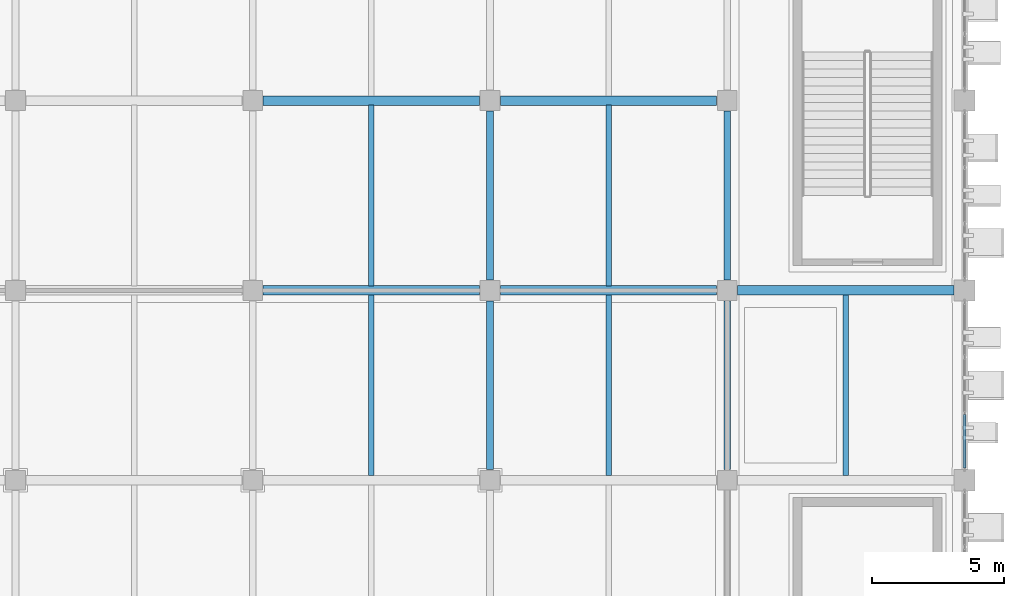
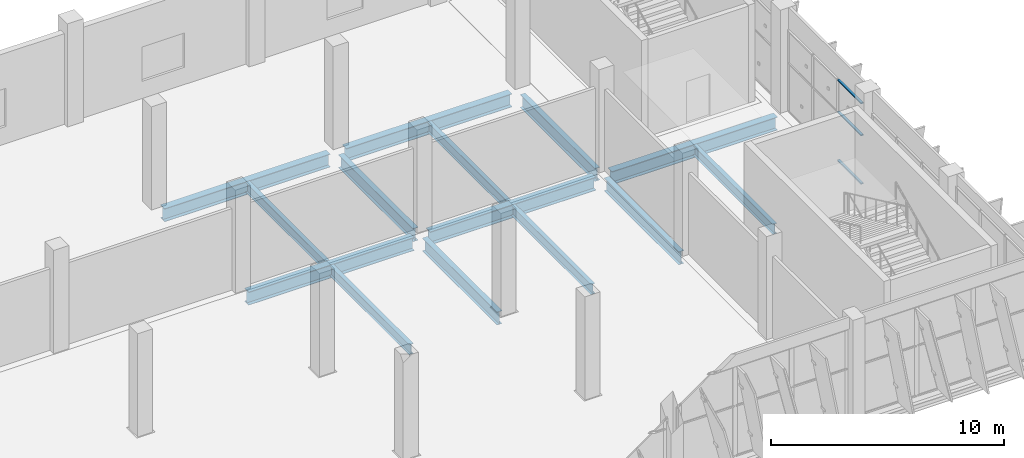
# One storey, part 49 of 137: 14 beams, 3 members, 1 element without a shape of its own.
"""IFC4 building model written with IfcOpenShell, lengths in metres."""

from ifc_helpers import new_model, si_unit, direction, frame, origin, origin_2d, place, context, subcontext, project, spatial, hollow_rectangle, i_section, extrude, material, layer, layer_set, material_profile, profile_set, type_object, element, aggregate, save


model = new_model("IFC4")

# Units and contexts
model_context = context("Model", 3, precision=1e-05, world=origin(), true_north=direction((0.0, 1.0)))
body_context = subcontext(model_context, "Body", "Model", "MODEL_VIEW")
ifc_project = project(units=[si_unit("LENGTHUNIT", "METRE"), si_unit("AREAUNIT", "SQUARE_METRE"), si_unit("VOLUMEUNIT", "CUBIC_METRE"), si_unit("PLANEANGLEUNIT", "RADIAN"), si_unit("MASSUNIT", "GRAM", prefix="KILO")], contexts=[model_context])

# Site, building, storey
site_placement = place(None, origin())
site = spatial("IfcSite", under=ifc_project, at=site_placement, CompositionType="ELEMENT")
building_placement = place(site_placement, origin())
building = spatial("IfcBuilding", under=site, at=building_placement, Name="Celestram Park Convention Centre", CompositionType="ELEMENT")
storey_placement = place(building_placement, origin())
storey = spatial("IfcBuildingStorey", under=building, at=storey_placement, Name="L00", CompositionType="ELEMENT", Elevation=0.0)

# Curtain wall, members
ifc_material_1 = material(Name="Anodised Aluminium Alloy 6063-T6", Category="aluminium")
ifc_layer = layer(ifc_material_1, 0.179931640625)
ifc_layer_set = layer_set([ifc_layer], Name="Anodised Aluminium Alloy 6063-T6")
curtain_wall_type = type_object("IfcCurtainWallType", Name="ARC-CW-640X426", PredefinedType="NOTDEFINED", material=ifc_layer_set)
curtain_wall_placement = place(storey_placement, origin())
curtain_wall = element("IfcCurtainWall", 1, at=curtain_wall_placement, inside=storey, type_object=curtain_wall_type, Name="Unitised curtain wall CU-L00-023", PredefinedType="NOTDEFINED")
ifc_material_profile_1 = material_profile(ifc_material_1, hollow_rectangle(XDim=0.1201171875, YDim=0.06005859375, WallThickness=0.0029296875, at=origin_2d()), Name="ALU120X60X3")
ifc_profile_set_1 = profile_set([ifc_material_profile_1], Name="Anodised Aluminium Alloy 6063-T6")
member_type = type_object("IfcMemberType", Name="ARC-CWT-120", PredefinedType="USERDEFINED", material=ifc_profile_set_1)
member_1_placement = place(storey_placement, frame((216.0, 16.900146484375, 0.030029296875), z_axis=(0.0, -1.0, 0.0), x_axis=(1.0, 0.0, 0.0)))
member_1 = element("IfcMember", 2, at=member_1_placement, type_object=member_type, Name="CW-64X42 transom 3.1", ObjectType="TRANSOM", PredefinedType="USERDEFINED", context=body_context, shape_type="SweptSolid", body=[
    extrude(hollow_rectangle(XDim=0.1201171875, YDim=0.06005859375, WallThickness=0.0029296875, at=origin_2d()), origin(), (0.0, 0.0, 1.0), 2.037109375),
])
member_2_placement = place(storey_placement, frame((216.0, 16.900146484375, 2.55810546875), z_axis=(0.0, -1.0, 0.0), x_axis=(1.0, 0.0, 0.0)))
member_2 = element("IfcMember", 3, at=member_2_placement, type_object=member_type, Name="CW-64X42 transom 3.2", ObjectType="TRANSOM", PredefinedType="USERDEFINED", context=body_context, shape_type="SweptSolid", body=[
    extrude(hollow_rectangle(XDim=0.1201171875, YDim=0.06005859375, WallThickness=0.0029296875, at=origin_2d()), origin(), (0.0, 0.0, 1.0), 2.037109375),
])
member_3_placement = place(storey_placement, frame((216.0, 16.900146484375, 4.23388671875), z_axis=(0.0, -1.0, 0.0), x_axis=(1.0, 0.0, 0.0)))
member_3 = element("IfcMember", 4, at=member_3_placement, type_object=member_type, Name="CW-64X42 transom 3.3", ObjectType="TRANSOM", PredefinedType="USERDEFINED", context=body_context, shape_type="SweptSolid", body=[
    extrude(hollow_rectangle(XDim=0.1201171875, YDim=0.06005859375, WallThickness=0.0029296875, at=origin_2d()), origin(), (0.0, 0.0, 1.0), 2.037109375),
])
aggregate(curtain_wall, [member_1, member_2, member_3])

# Beams
ifc_material_2 = material(Name="Steel ASTM A992 Grade 50", Category="steel")
ifc_material_profile_2 = material_profile(ifc_material_2, i_section(OverallWidth=0.35595703125, OverallDepth=0.696044921875, WebThickness=0.015380859375, FlangeThickness=0.02490234375, at=origin_2d()), Name="W27X146")
ifc_profile_set_2 = profile_set([ifc_material_profile_2], Name="Steel ASTM A992 Grade 50")
beam_type_1 = type_object("IfcBeamType", Name="STR-BM-W27X146", PredefinedType="BEAM", material=ifc_profile_set_2)
for number, where, z_axis, x_axis, name in (
    (5, (189.39794921875, 21.60009765625, -0.66796875), (1.0, 0.0, 0.0), (0.0, 1.0, 0.0), "Primary X-girder BG-L00-0801"),
    (6, (189.39794921875, 28.800048828125, -0.66796875), (1.0, 0.0, 0.0), (0.0, 1.0, 0.0), "Primary X-girder BG-L00-0803"),
    (7, (198.39794921875, 21.60009765625, -0.66796875), (1.0, 0.0, 0.0), (0.0, 1.0, 0.0), "Primary X-girder BG-L00-0827"),
    (8, (198.39794921875, 28.800048828125, -0.66796875), (1.0, 0.0, 0.0), (0.0, 1.0, 0.0), "Primary X-girder BG-L00-0829"),
    (9, (207.39794921875, 21.60009765625, -0.66796875), (1.0, 0.0, 0.0), (0.0, 1.0, 0.0), "Primary X-girder BG-L00-0852"),
):
    element("IfcBeam", number, at=place(storey_placement, frame(where, z_axis=z_axis, x_axis=x_axis)), inside=storey, type_object=beam_type_1, Name=name, PredefinedType="BEAM", context=body_context, shape_type="SweptSolid", body=[
        extrude(i_section(OverallWidth=0.35595703125, OverallDepth=0.696044921875, WebThickness=0.015380859375, FlangeThickness=0.02490234375, at=origin_2d()), origin(), (0.0, 0.0, 1.0), 8.2041015625),
    ])
ifc_material_profile_3 = material_profile(ifc_material_2, i_section(OverallWidth=0.25390625, OverallDepth=0.68310546875, WebThickness=0.012451171875, FlangeThickness=0.01904296875, at=origin_2d()), Name="W27X94")
ifc_profile_set_3 = profile_set([ifc_material_profile_3], Name="Steel ASTM A992 Grade 50")
beam_type_2 = type_object("IfcBeamType", Name="STR-BM-W27X94", PredefinedType="BEAM", material=ifc_profile_set_3)
beam_1_placement = place(storey_placement, frame((198.0, 14.798095703125, -0.66162109375), z_axis=(0.0, 1.0, 0.0), x_axis=(-1.0, 0.0, 0.0)))
element("IfcBeam", 10, at=beam_1_placement, inside=storey, type_object=beam_type_2, Name="Primary Y-girder BG-L00-0826", PredefinedType="BEAM", context=body_context, shape_type="SweptSolid", body=[
    extrude(i_section(OverallWidth=0.25390625, OverallDepth=0.68310546875, WebThickness=0.012451171875, FlangeThickness=0.01904296875, at=origin_2d()), origin(), (0.0, 0.0, 1.0), 6.40380859375),
])
beam_2_placement = place(storey_placement, frame((198.0, 21.998046875, -0.66162109375), z_axis=(0.0, 1.0, 0.0), x_axis=(-1.0, 0.0, 0.0)))
element("IfcBeam", 11, at=beam_2_placement, inside=storey, type_object=beam_type_2, Name="Primary Y-girder BG-L00-0828", PredefinedType="BEAM", context=body_context, shape_type="SweptSolid", body=[
    extrude(i_section(OverallWidth=0.25390625, OverallDepth=0.68310546875, WebThickness=0.012451171875, FlangeThickness=0.01904296875, at=origin_2d()), origin(), (0.0, 0.0, 1.0), 6.404052734375),
])
beam_3_placement = place(storey_placement, frame((207.0, 14.798095703125, -0.66162109375), z_axis=(0.0, 1.0, 0.0), x_axis=(-1.0, 0.0, 0.0)))
element("IfcBeam", 12, at=beam_3_placement, inside=storey, type_object=beam_type_2, Name="Primary Y-girder BG-L00-0851", PredefinedType="BEAM", context=body_context, shape_type="SweptSolid", body=[
    extrude(i_section(OverallWidth=0.25390625, OverallDepth=0.68310546875, WebThickness=0.012451171875, FlangeThickness=0.01904296875, at=origin_2d()), origin(), (0.0, 0.0, 1.0), 6.40380859375),
])
beam_4_placement = place(storey_placement, frame((207.0, 21.998046875, -0.66162109375), z_axis=(0.0, 1.0, 0.0), x_axis=(-1.0, 0.0, 0.0)))
element("IfcBeam", 13, at=beam_4_placement, inside=storey, type_object=beam_type_2, Name="Primary Y-girder BG-L00-0853", PredefinedType="BEAM", context=body_context, shape_type="SweptSolid", body=[
    extrude(i_section(OverallWidth=0.25390625, OverallDepth=0.68310546875, WebThickness=0.012451171875, FlangeThickness=0.01904296875, at=origin_2d()), origin(), (0.0, 0.0, 1.0), 6.404052734375),
])
ifc_material_profile_4 = material_profile(ifc_material_2, i_section(OverallWidth=0.2099609375, OverallDepth=0.532958984375, WebThickness=0.01025390625, FlangeThickness=0.015625, at=origin_2d()), Name="W21X62")
ifc_profile_set_4 = profile_set([ifc_material_profile_4], Name="Steel ASTM A992 Grade 50")
beam_type_3 = type_object("IfcBeamType", Name="STR-JST-W21X62", PredefinedType="JOIST", material=ifc_profile_set_4)
for number, where, z_axis, x_axis, name in (
    (14, (193.5, 14.573974609375, -0.58642578125), (0.0, 1.0, 0.0), (-1.0, 0.0, 0.0), "Secondary composite joist BG-L00-1222"),
    (15, (193.5, 21.77392578125, -0.58642578125), (0.0, 1.0, 0.0), (-1.0, 0.0, 0.0), "Secondary composite joist BG-L00-1223"),
    (16, (202.5, 14.573974609375, -0.58642578125), (0.0, 1.0, 0.0), (-1.0, 0.0, 0.0), "Secondary composite joist BG-L00-1234"),
    (17, (202.5, 21.77392578125, -0.58642578125), (0.0, 1.0, 0.0), (-1.0, 0.0, 0.0), "Secondary composite joist BG-L00-1235"),
    (18, (211.5, 14.573974609375, -0.58642578125), (0.0, 1.0, 0.0), (-1.0, 0.0, 0.0), "Secondary composite joist BG-L00-1244"),
):
    element("IfcBeam", number, at=place(storey_placement, frame(where, z_axis=z_axis, x_axis=x_axis)), inside=storey, type_object=beam_type_3, Name=name, PredefinedType="JOIST", context=body_context, shape_type="SweptSolid", body=[
        extrude(i_section(OverallWidth=0.2099609375, OverallDepth=0.532958984375, WebThickness=0.01025390625, FlangeThickness=0.015625, at=origin_2d()), origin(), (0.0, 0.0, 1.0), 6.85205078125),
    ])

save(model, "model.ifc")
